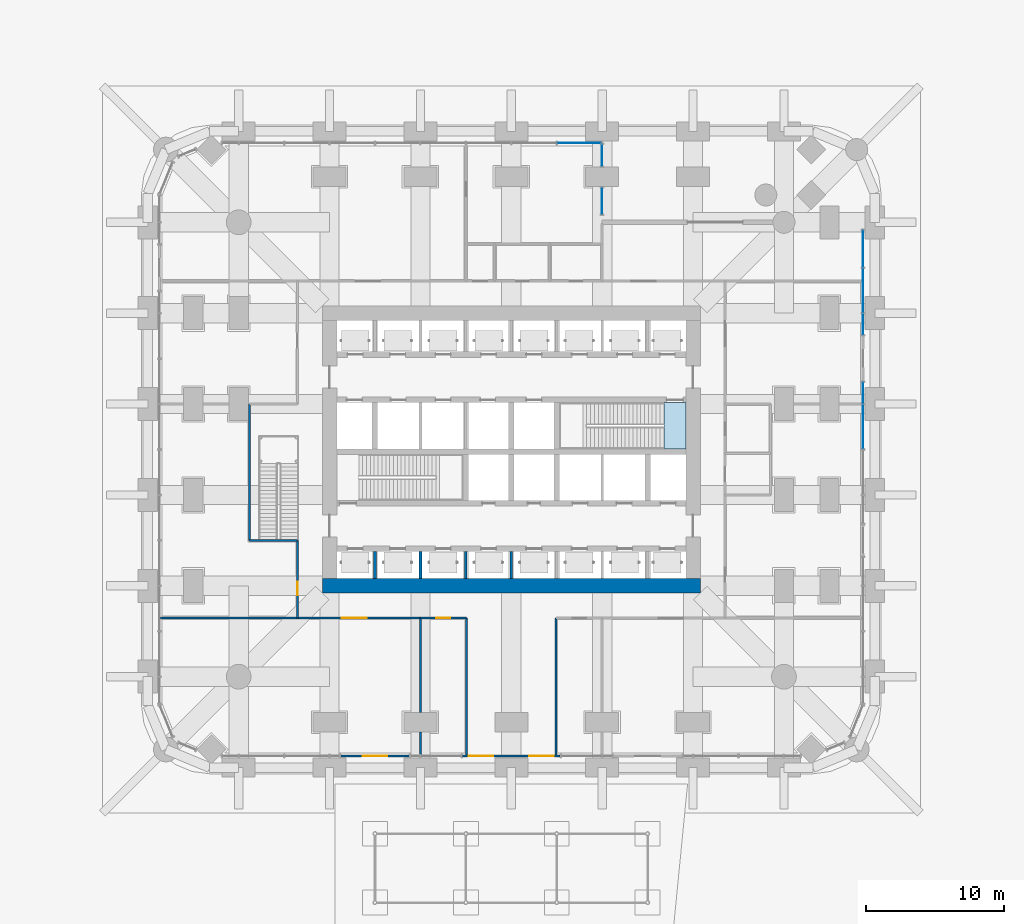
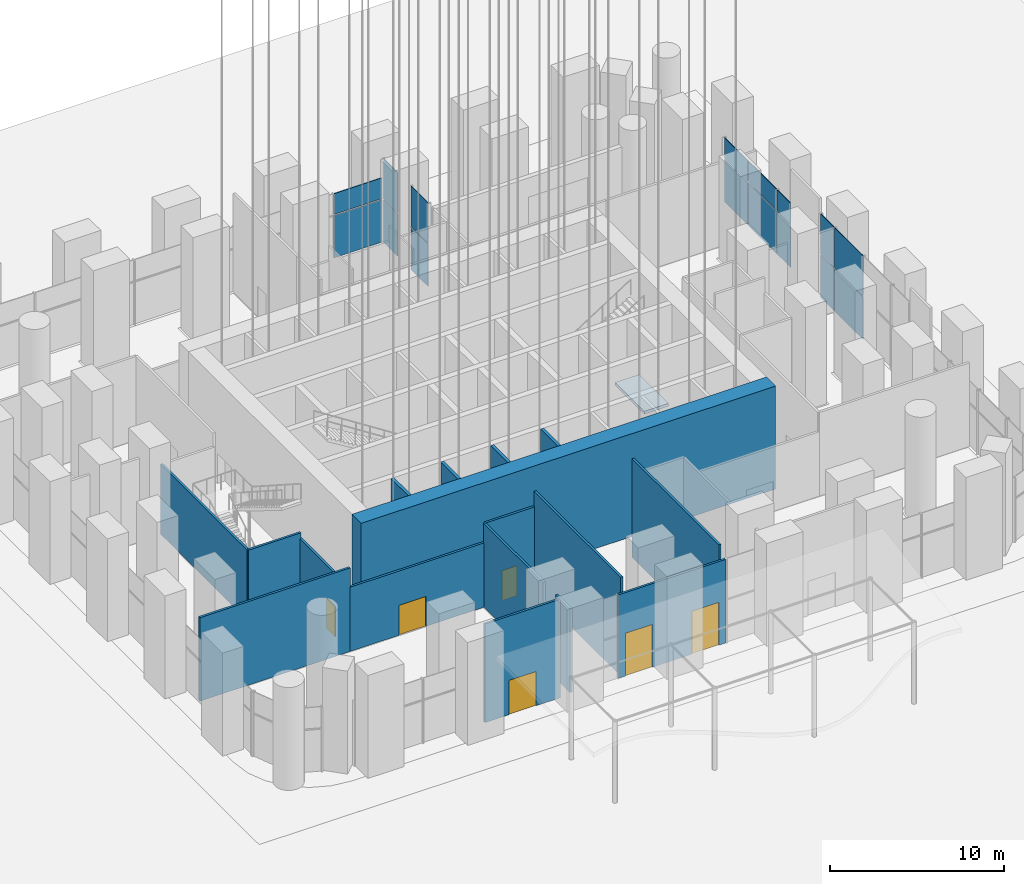
# One storey, part 14 of 32: 17 walls, 16 plates, 6 doors, 1 slab, 6 openings, 6 elements without a shape of their own.
"""IFC4 building model written with IfcOpenShell, lengths in metres."""

from ifc_helpers import new_model, si_unit, direction, frame, frame_2d, origin, origin_2d, place, context, subcontext, project, spatial, polyline, rectangle, outline, extrude, material, layer, layer_set, type_object, element, fill, aggregate, save


model = new_model("IFC4")

# Units and contexts
model_context = context("Model", 3, precision=1e-05, world=origin(), true_north=direction((0.0, 1.0)))
body_context = subcontext(model_context, "Body", "Model", "MODEL_VIEW")
ifc_project = project(units=[si_unit("LENGTHUNIT", "METRE"), si_unit("AREAUNIT", "SQUARE_METRE"), si_unit("VOLUMEUNIT", "CUBIC_METRE"), si_unit("PLANEANGLEUNIT", "RADIAN"), si_unit("MASSUNIT", "GRAM", prefix="KILO")], contexts=[model_context])

# Site, building, storey
site_placement = place(None, origin())
site = spatial("IfcSite", under=ifc_project, at=site_placement, CompositionType="ELEMENT")
building_placement = place(site_placement, origin())
building = spatial("IfcBuilding", under=site, at=building_placement, Name="Cobogo Forest Laboratory Tower", CompositionType="ELEMENT")
storey_placement = place(building_placement, origin())
storey = spatial("IfcBuildingStorey", under=building, at=storey_placement, Name="L00", CompositionType="ELEMENT", Elevation=0.0)

# Curtain wall, plates
ifc_material_1 = material(Name="Aluminium curtain wall", Category="aluminium")
curtain_wall_type = type_object("IfcCurtainWallType", Name="CW-L structural glazing, entrance lobby", PredefinedType="USERDEFINED", material=ifc_material_1)
curtain_wall_1_placement = place(storey_placement, origin())
curtain_wall_1 = element("IfcCurtainWall", 1, at=curtain_wall_1_placement, inside=storey, type_object=curtain_wall_type, Name="Curtain wall 07 L00", ObjectType="STRUCTURAL GLAZING", PredefinedType="USERDEFINED")
ifc_material_2 = material(Name="Laminated insulated glass", Category="glass")
ifc_layer_1 = layer(ifc_material_2, 0.0439453125)
ifc_layer_set_1 = layer_set([ifc_layer_1], Name="GP-3 laminated glass unit 44")
plate_type = type_object("IfcPlateType", Name="GP-3 laminated glass unit 44", PredefinedType="CURTAIN_PANEL", material=ifc_layer_set_1)
plate_1_placement = place(storey_placement, frame((31.330078125, 45.35009765625, 0.0), z_axis=(0.0, 0.0, 1.0), x_axis=(1.0, 0.0, 0.0)))
plate_1 = element("IfcPlate", 2, at=plate_1_placement, type_object=plate_type, Name="CW-L panel 9.1", PredefinedType="CURTAIN_PANEL", context=body_context, shape_type="SweptSolid", body=[
    extrude(rectangle(XDim=3.179931640625, YDim=0.0439453125, at=origin_2d()), origin(), (0.0, 0.0, 1.0), 2.9599609375),
])
plate_2_placement = place(storey_placement, frame((31.330078125, 45.35009765625, 3.0400390625), z_axis=(0.0, 0.0, 1.0), x_axis=(1.0, 0.0, 0.0)))
plate_2 = element("IfcPlate", 3, at=plate_2_placement, type_object=plate_type, Name="CW-L panel 9.2", PredefinedType="CURTAIN_PANEL", context=body_context, shape_type="SweptSolid", body=[
    extrude(rectangle(XDim=3.179931640625, YDim=0.0439453125, at=origin_2d()), origin(), (0.0, 0.0, 1.0), 1.4599609375),
])
aggregate(curtain_wall_1, [plate_1, plate_2])

curtain_wall_2_placement = place(storey_placement, origin())
curtain_wall_2 = element("IfcCurtainWall", 4, at=curtain_wall_2_placement, inside=storey, type_object=curtain_wall_type, Name="Curtain wall 08 L00", ObjectType="STRUCTURAL GLAZING", PredefinedType="USERDEFINED")
plate_3_placement = place(storey_placement, frame((33.0, 44.47509765625, 0.0), z_axis=(0.0, 0.0, 1.0), x_axis=(0.0, -1.0, 0.0)))
plate_3 = element("IfcPlate", 5, at=plate_3_placement, type_object=plate_type, Name="CW-L panel 1.1", PredefinedType="CURTAIN_PANEL", context=body_context, shape_type="SweptSolid", body=[
    extrude(rectangle(XDim=1.590087890625, YDim=0.0439453125, at=origin_2d()), origin(), (0.0, 0.0, 1.0), 2.9599609375),
])
plate_4_placement = place(storey_placement, frame((33.0, 44.47509765625, 3.0400390625), z_axis=(0.0, 0.0, 1.0), x_axis=(0.0, -1.0, 0.0)))
plate_4 = element("IfcPlate", 6, at=plate_4_placement, type_object=plate_type, Name="CW-L panel 1.2", PredefinedType="CURTAIN_PANEL", context=body_context, shape_type="SweptSolid", body=[
    extrude(rectangle(XDim=1.590087890625, YDim=0.0439453125, at=origin_2d()), origin(), (0.0, 0.0, 1.0), 2.81005859375),
])
aggregate(curtain_wall_2, [plate_3, plate_4])

curtain_wall_3_placement = place(storey_placement, origin())
curtain_wall_3 = element("IfcCurtainWall", 7, at=curtain_wall_3_placement, inside=storey, type_object=curtain_wall_type, Name="Curtain wall 09 L00", ObjectType="STRUCTURAL GLAZING", PredefinedType="USERDEFINED")
plate_5_placement = place(storey_placement, frame((33.0, 41.14990234375, 0.0), z_axis=(0.0, 0.0, 1.0), x_axis=(0.0, -1.0, 0.0)))
plate_5 = element("IfcPlate", 8, at=plate_5_placement, type_object=plate_type, Name="CW-L panel 1.1", PredefinedType="CURTAIN_PANEL", context=body_context, shape_type="SweptSolid", body=[
    extrude(rectangle(XDim=1.93994140625, YDim=0.0439453125, at=origin_2d()), origin(), (0.0, 0.0, 1.0), 2.9599609375),
])
plate_6_placement = place(storey_placement, frame((33.0, 41.14990234375, 3.0400390625), z_axis=(0.0, 0.0, 1.0), x_axis=(0.0, -1.0, 0.0)))
plate_6 = element("IfcPlate", 9, at=plate_6_placement, type_object=plate_type, Name="CW-L panel 1.2", PredefinedType="CURTAIN_PANEL", context=body_context, shape_type="SweptSolid", body=[
    extrude(rectangle(XDim=1.93994140625, YDim=0.0439453125, at=origin_2d()), origin(), (0.0, 0.0, 1.0), 2.81005859375),
])
aggregate(curtain_wall_3, [plate_5, plate_6])

curtain_wall_4_placement = place(storey_placement, origin())
curtain_wall_4 = element("IfcCurtainWall", 10, at=curtain_wall_4_placement, inside=storey, type_object=curtain_wall_type, Name="Curtain wall 10 L00", ObjectType="STRUCTURAL GLAZING", PredefinedType="USERDEFINED")
plate_7_placement = place(storey_placement, frame((51.949951171875, 37.679931640625, 0.0), z_axis=(0.0, 0.0, 1.0), x_axis=(0.0, -1.0, 0.0)))
plate_7 = element("IfcPlate", 11, at=plate_7_placement, type_object=plate_type, Name="CW-L panel 1.1", PredefinedType="CURTAIN_PANEL", context=body_context, shape_type="SweptSolid", body=[
    extrude(rectangle(XDim=2.679931640625, YDim=0.0439453125, at=origin_2d()), origin(), (0.0, 0.0, 1.0), 2.9599609375),
])
plate_8_placement = place(storey_placement, frame((51.949951171875, 37.679931640625, 3.0400390625), z_axis=(0.0, 0.0, 1.0), x_axis=(0.0, -1.0, 0.0)))
plate_8 = element("IfcPlate", 12, at=plate_8_placement, type_object=plate_type, Name="CW-L panel 1.2", PredefinedType="CURTAIN_PANEL", context=body_context, shape_type="SweptSolid", body=[
    extrude(rectangle(XDim=2.679931640625, YDim=0.0439453125, at=origin_2d()), origin(), (0.0, 0.0, 1.0), 1.4599609375),
])
plate_9_placement = place(storey_placement, frame((51.949951171875, 34.64990234375, 0.0), z_axis=(0.0, 0.0, 1.0), x_axis=(0.0, -1.0, 0.0)))
plate_9 = element("IfcPlate", 13, at=plate_9_placement, type_object=plate_type, Name="CW-L panel 2.1", PredefinedType="CURTAIN_PANEL", context=body_context, shape_type="SweptSolid", body=[
    extrude(rectangle(XDim=3.219970703125, YDim=0.0439453125, at=origin_2d()), origin(), (0.0, 0.0, 1.0), 2.9599609375),
])
plate_10_placement = place(storey_placement, frame((51.949951171875, 34.64990234375, 3.0400390625), z_axis=(0.0, 0.0, 1.0), x_axis=(0.0, -1.0, 0.0)))
plate_10 = element("IfcPlate", 14, at=plate_10_placement, type_object=plate_type, Name="CW-L panel 2.2", PredefinedType="CURTAIN_PANEL", context=body_context, shape_type="SweptSolid", body=[
    extrude(rectangle(XDim=3.219970703125, YDim=0.0439453125, at=origin_2d()), origin(), (0.0, 0.0, 1.0), 1.4599609375),
])
plate_11_placement = place(storey_placement, frame((51.949951171875, 32.195068359375, 0.0), z_axis=(0.0, 0.0, 1.0), x_axis=(0.0, -1.0, 0.0)))
plate_11 = element("IfcPlate", 15, at=plate_11_placement, type_object=plate_type, Name="CW-L panel 3.1", PredefinedType="CURTAIN_PANEL", context=body_context, shape_type="SweptSolid", body=[
    extrude(rectangle(XDim=1.530029296875, YDim=0.0439453125, at=origin_2d()), origin(), (0.0, 0.0, 1.0), 2.9599609375),
])
plate_12_placement = place(storey_placement, frame((51.949951171875, 32.195068359375, 3.0400390625), z_axis=(0.0, 0.0, 1.0), x_axis=(0.0, -1.0, 0.0)))
plate_12 = element("IfcPlate", 16, at=plate_12_placement, type_object=plate_type, Name="CW-L panel 3.2", PredefinedType="CURTAIN_PANEL", context=body_context, shape_type="SweptSolid", body=[
    extrude(rectangle(XDim=1.530029296875, YDim=0.0439453125, at=origin_2d()), origin(), (0.0, 0.0, 1.0), 1.4599609375),
])
aggregate(curtain_wall_4, [plate_7, plate_8, plate_9, plate_10, plate_11, plate_12])

curtain_wall_5_placement = place(storey_placement, origin())
curtain_wall_5 = element("IfcCurtainWall", 17, at=curtain_wall_5_placement, inside=storey, type_object=curtain_wall_type, Name="Curtain wall 11 L00", ObjectType="STRUCTURAL GLAZING", PredefinedType="USERDEFINED")
plate_13_placement = place(storey_placement, frame((51.949951171875, 27.205078125, 0.0), z_axis=(0.0, 0.0, 1.0), x_axis=(0.0, -1.0, 0.0)))
plate_13 = element("IfcPlate", 18, at=plate_13_placement, type_object=plate_type, Name="CW-L panel 1.1", PredefinedType="CURTAIN_PANEL", context=body_context, shape_type="SweptSolid", body=[
    extrude(rectangle(XDim=1.530029296875, YDim=0.0439453125, at=origin_2d()), origin(), (0.0, 0.0, 1.0), 2.9599609375),
])
plate_14_placement = place(storey_placement, frame((51.949951171875, 27.205078125, 3.0400390625), z_axis=(0.0, 0.0, 1.0), x_axis=(0.0, -1.0, 0.0)))
plate_14 = element("IfcPlate", 19, at=plate_14_placement, type_object=plate_type, Name="CW-L panel 1.2", PredefinedType="CURTAIN_PANEL", context=body_context, shape_type="SweptSolid", body=[
    extrude(rectangle(XDim=1.530029296875, YDim=0.0439453125, at=origin_2d()), origin(), (0.0, 0.0, 1.0), 2.81005859375),
])
plate_15_placement = place(storey_placement, frame((51.949951171875, 24.75, 0.0), z_axis=(0.0, 0.0, 1.0), x_axis=(0.0, -1.0, 0.0)))
plate_15 = element("IfcPlate", 20, at=plate_15_placement, type_object=plate_type, Name="CW-L panel 2.1", PredefinedType="CURTAIN_PANEL", context=body_context, shape_type="SweptSolid", body=[
    extrude(rectangle(XDim=3.219970703125, YDim=0.0439453125, at=origin_2d()), origin(), (0.0, 0.0, 1.0), 2.9599609375),
])
plate_16_placement = place(storey_placement, frame((51.949951171875, 24.75, 3.0400390625), z_axis=(0.0, 0.0, 1.0), x_axis=(0.0, -1.0, 0.0)))
plate_16 = element("IfcPlate", 21, at=plate_16_placement, type_object=plate_type, Name="CW-L panel 2.2", PredefinedType="CURTAIN_PANEL", context=body_context, shape_type="SweptSolid", body=[
    extrude(rectangle(XDim=3.219970703125, YDim=0.0439453125, at=origin_2d()), origin(), (0.0, 0.0, 1.0), 2.81005859375),
])
aggregate(curtain_wall_5, [plate_13, plate_14, plate_15, plate_16])

# Stair, slab
ifc_material_3 = material(Name="Precast concrete HA-40 (C40/50)", Category="concrete")
stair_type = type_object("IfcStairType", Name="ST42 exit stair 42 risers", PredefinedType="HALF_TURN_STAIR", material=ifc_material_3)
stair_placement = place(storey_placement, origin())
stair = element("IfcStair", 22, at=stair_placement, inside=storey, type_object=stair_type, Name="Stair 2 L00 to L01", PredefinedType="HALF_TURN_STAIR")
ifc_material_4 = material(Name="Concrete HA-40 (C40/50)", Category="concrete")
ifc_layer_2 = layer(ifc_material_4, 0.199951171875)
ifc_layer_set_2 = layer_set([ifc_layer_2], Name="SL stair landing 200")
slab_type = type_object("IfcSlabType", Name="SL stair landing 200", PredefinedType="LANDING", material=ifc_layer_set_2)
slab_placement = place(storey_placement, frame((0.0, 0.0, -0.199951171875)))
slab = element("IfcSlab", 23, at=slab_placement, type_object=slab_type, Name="ST2 landing 1", PredefinedType="LANDING", context=body_context, shape_type="SweptSolid", body=[
    extrude(outline(polyline([(37.472900390625, 23.14990234375), (39.074951171875, 23.14990234375), (39.074951171875, 26.5), (37.472900390625, 26.5), (37.472900390625, 23.14990234375)])), origin(), (0.0, 0.0, 1.0), 0.199951171875),
])
aggregate(stair, [slab])

# Wall
ifc_material_5 = material(Name="Concrete HA-50 (C50/60)", Category="concrete")
ifc_layer_3 = layer(ifc_material_5, 1.050048828125)
ifc_layer_set_3 = layer_set([ifc_layer_3], Name="CW1050 core outer wall 1050")
wall_type_1 = type_object("IfcWallType", Name="CW1050 core outer wall 1050", PredefinedType="SHEAR", material=ifc_layer_set_3)
wall_1_placement = place(storey_placement, frame((12.675048828125, 13.199951171875, 0.0), z_axis=(0.0, 0.0, 1.0), x_axis=(1.0, 0.0, 0.0)))
element("IfcWall", 24, at=wall_1_placement, inside=storey, type_object=wall_type_1, Name="Core wall CO-S L00", PredefinedType="SHEAR", context=body_context, shape_type="SweptSolid", body=[
    extrude(rectangle(XDim=27.449951171875, YDim=1.050048828125, at=frame_2d((13.72509765625, 0.0))), origin(), (0.0, 0.0, 1.0), 7.199951171875),
])

# Wall, openings, doors
ifc_material_6 = material(Name="Aluminium framed glazed screen", Category="aluminium")
ifc_layer_4 = layer(ifc_material_6, 0.14990234375)
ifc_layer_set_4 = layer_set([ifc_layer_4], Name="GS1 glazed door screen 150")
wall_type_2 = type_object("IfcWallType", Name="GS1 glazed door screen 150", PredefinedType="SOLIDWALL", material=ifc_layer_set_4)
wall_2_placement = place(storey_placement, frame((22.85009765625, 0.85009765625, 0.0), z_axis=(0.0, 0.0, 1.0), x_axis=(1.0, 0.0, 0.0)))
wall_2 = element("IfcWall", 25, at=wall_2_placement, inside=storey, type_object=wall_type_2, Name="Entrance glazed screen ENT", PredefinedType="SOLIDWALL", context=body_context, shape_type="SweptSolid", body=[
    extrude(rectangle(XDim=7.099853515625, YDim=0.14990234375, at=frame_2d((3.5498046875, 0.0))), origin(), (0.0, 0.0, 1.0), 5.85009765625),
])
opening_1_placement = place(wall_2_placement, frame((0.449951171875, 0.0, 0.0)))
opening_1 = element("IfcOpeningElement", 26, at=opening_1_placement, cuts=wall_2, Name="Opening L00-D02", PredefinedType="OPENING", context=body_context, shape_type="SweptSolid", body=[
    extrude(rectangle(XDim=1.800048828125, YDim=3.0, at=frame_2d((0.89990234375, 1.5))), frame((0.0, 0.0849609375, 0.0), z_axis=(0.0, -1.0, 0.0), x_axis=(1.0, 0.0, 0.0)), (0.0, 0.0, 1.0), 0.169921875),
])
opening_2_placement = place(wall_2_placement, frame((4.85009765625, 0.0, 0.0)))
opening_2 = element("IfcOpeningElement", 27, at=opening_2_placement, cuts=wall_2, Name="Opening L00-D03", PredefinedType="OPENING", context=body_context, shape_type="SweptSolid", body=[
    extrude(rectangle(XDim=1.800048828125, YDim=3.0, at=frame_2d((0.89990234375, 1.5))), frame((0.0, 0.0849609375, 0.0), z_axis=(0.0, -1.0, 0.0), x_axis=(1.0, 0.0, 0.0)), (0.0, 0.0, 1.0), 0.169921875),
])
ifc_material_7 = material(Name="Aluminium glazed door", Category="aluminium")
door_type_1 = type_object("IfcDoorType", Name="ED1 entrance door pair 1800 glazed", OperationType="DOUBLE_DOOR_DOUBLE_SWING", PredefinedType="DOOR", material=ifc_material_7)
door_1_placement = place(opening_1_placement, origin())
door_1 = element("IfcDoor", 28, at=door_1_placement, inside=storey, type_object=door_type_1, Name="Door L00-ENT-1", OperationType="DOUBLE_DOOR_DOUBLE_SWING", OverallHeight=3.0, OverallWidth=1.800048828125, PredefinedType="DOOR", context=body_context, shape_type="SweptSolid", body=[
    extrude(rectangle(XDim=1.800048828125, YDim=3.0, at=frame_2d((0.89990234375, 1.5))), frame((0.0, 0.02490234375, 0.0), z_axis=(0.0, -1.0, 0.0), x_axis=(1.0, 0.0, 0.0)), (0.0, 0.0, 1.0), 0.050048828125),
])
fill(opening_1, door_1)
door_2_placement = place(opening_2_placement, origin())
door_2 = element("IfcDoor", 29, at=door_2_placement, inside=storey, type_object=door_type_1, Name="Door L00-ENT-2", OperationType="DOUBLE_DOOR_DOUBLE_SWING", OverallHeight=3.0, OverallWidth=1.800048828125, PredefinedType="DOOR", context=body_context, shape_type="SweptSolid", body=[
    extrude(rectangle(XDim=1.800048828125, YDim=3.0, at=frame_2d((0.89990234375, 1.5))), frame((0.0, 0.02490234375, 0.0), z_axis=(0.0, -1.0, 0.0), x_axis=(1.0, 0.0, 0.0)), (0.0, 0.0, 1.0), 0.050048828125),
])
fill(opening_2, door_2)

# Wall, opening, door
wall_3_placement = place(storey_placement, frame((19.0, 0.85009765625, 0.0), z_axis=(0.0, 0.0, 1.0), x_axis=(-1.0, 0.0, 0.0)))
wall_3 = element("IfcWall", 30, at=wall_3_placement, inside=storey, type_object=wall_type_2, Name="Entrance glazed screen EXSW", PredefinedType="SOLIDWALL", context=body_context, shape_type="SweptSolid", body=[
    extrude(rectangle(XDim=5.0, YDim=0.14990234375, at=frame_2d((2.5, 0.0))), origin(), (0.0, 0.0, 1.0), 6.89990234375),
])
opening_3_placement = place(wall_3_placement, frame((1.60009765625, 0.0, 0.0)))
opening_3 = element("IfcOpeningElement", 31, at=opening_3_placement, cuts=wall_3, Name="Opening L00-D01", PredefinedType="OPENING", context=body_context, shape_type="SweptSolid", body=[
    extrude(rectangle(XDim=1.800048828125, YDim=2.39990234375, at=frame_2d((0.89990234375, 1.199951171875))), frame((0.0, 0.0849609375, 0.0), z_axis=(0.0, -1.0, 0.0), x_axis=(1.0, 0.0, 0.0)), (0.0, 0.0, 1.0), 0.169921875),
])
door_type_2 = type_object("IfcDoorType", Name="ED3 exit door pair 1800 glazed", OperationType="DOUBLE_DOOR_SINGLE_SWING", PredefinedType="DOOR", material=ifc_material_7)
door_3_placement = place(opening_3_placement, origin())
door_3 = element("IfcDoor", 32, at=door_3_placement, inside=storey, type_object=door_type_2, Name="Door L00-EXSW-1", OperationType="DOUBLE_DOOR_SINGLE_SWING", OverallHeight=2.39990234375, OverallWidth=1.800048828125, PredefinedType="DOOR", context=body_context, shape_type="SweptSolid", body=[
    extrude(rectangle(XDim=1.800048828125, YDim=2.39990234375, at=frame_2d((0.89990234375, 1.199951171875))), frame((0.0, 0.02490234375, 0.0), z_axis=(0.0, -1.0, 0.0), x_axis=(1.0, 0.0, 0.0)), (0.0, 0.0, 1.0), 0.050048828125),
])
fill(opening_3, door_3)

# Walls
ifc_material_8 = material(Name="Gypsum board on steel studs", Category="steel")
ifc_layer_5 = layer(ifc_material_8, 0.14990234375)
ifc_layer_set_5 = layer_set([ifc_layer_5], Name="PT1 laboratory partition 150")
wall_type_3 = type_object("IfcWallType", Name="PT1 laboratory partition 150", PredefinedType="PARTITIONING", material=ifc_layer_set_5)
wall_4_placement = place(storey_placement, frame((0.929931640625, 10.875, 0.0), z_axis=(0.0, 0.0, 1.0), x_axis=(1.0, 0.0, 0.0)))
element("IfcWall", 33, at=wall_4_placement, inside=storey, type_object=wall_type_3, Name="Partition L00-P1-1 L00", PredefinedType="PARTITIONING", context=body_context, shape_type="SweptSolid", body=[
    extrude(rectangle(XDim=9.945068359375, YDim=0.14990234375, at=frame_2d((4.97265625, 0.0))), origin(), (0.0, 0.0, 1.0), 5.85009765625),
])
wall_5_placement = place(storey_placement, frame((7.39990234375, 26.39990234375, 0.0), z_axis=(0.0, 0.0, 1.0), x_axis=(0.0, -1.0, 0.0)))
element("IfcWall", 34, at=wall_5_placement, inside=storey, type_object=wall_type_3, Name="Partition L00-P6-1 L00", PredefinedType="PARTITIONING", context=body_context, shape_type="SweptSolid", body=[
    extrude(rectangle(XDim=9.89990234375, YDim=0.14990234375, at=frame_2d((4.949951171875, 0.0))), origin(), (0.0, 0.0, 1.0), 4.89990234375),
])
wall_6_placement = place(storey_placement, frame((7.39990234375, 16.5, 0.0), z_axis=(0.0, 0.0, 1.0), x_axis=(1.0, 0.0, 0.0)))
element("IfcWall", 35, at=wall_6_placement, inside=storey, type_object=wall_type_3, Name="Partition L00-P7-1 L00", PredefinedType="PARTITIONING", context=body_context, shape_type="SweptSolid", body=[
    extrude(rectangle(XDim=3.47509765625, YDim=0.14990234375, at=frame_2d((1.737548828125, 0.0))), origin(), (0.0, 0.0, 1.0), 4.89990234375),
])

# Wall, opening, door
wall_7_placement = place(storey_placement, frame((10.875, 16.5, 0.0), z_axis=(0.0, 0.0, 1.0), x_axis=(0.0, -1.0, 0.0)))
wall_7 = element("IfcWall", 36, at=wall_7_placement, inside=storey, type_object=wall_type_3, Name="Partition L00-P8-1 L00", PredefinedType="PARTITIONING", context=body_context, shape_type="SweptSolid", body=[
    extrude(rectangle(XDim=5.625, YDim=0.14990234375, at=frame_2d((2.8125, 0.0))), origin(), (0.0, 0.0, 1.0), 4.5),
])
opening_4_placement = place(wall_7_placement, frame((3.0, 0.0, 0.0)))
opening_4 = element("IfcOpeningElement", 37, at=opening_4_placement, cuts=wall_7, Name="Opening L00-D09", PredefinedType="OPENING", context=body_context, shape_type="SweptSolid", body=[
    extrude(rectangle(XDim=1.0, YDim=2.10009765625, at=frame_2d((0.5, 1.050048828125))), frame((0.0, 0.0849609375, 0.0), z_axis=(0.0, -1.0, 0.0), x_axis=(1.0, 0.0, 0.0)), (0.0, 0.0, 1.0), 0.169921875),
])
ifc_material_9 = material(Name="Timber fire door", Category="wood")
door_type_3 = type_object("IfcDoorType", Name="FD2 fire door 1000 EI2 30", OperationType="SINGLE_SWING_LEFT", PredefinedType="DOOR", material=ifc_material_9)
door_4_placement = place(opening_4_placement, origin())
door_4 = element("IfcDoor", 38, at=door_4_placement, inside=storey, type_object=door_type_3, Name="Door L00-RDG", OperationType="SINGLE_SWING_RIGHT", OverallHeight=2.10009765625, OverallWidth=1.0, PredefinedType="DOOR", context=body_context, shape_type="SweptSolid", body=[
    extrude(rectangle(XDim=1.0, YDim=2.10009765625, at=frame_2d((0.5, 1.050048828125))), frame((0.0, 0.02490234375, 0.0), z_axis=(0.0, -1.0, 0.0), x_axis=(1.0, 0.0, 0.0)), (0.0, 0.0, 1.0), 0.050048828125),
])
fill(opening_4, door_4)

wall_8_placement = place(storey_placement, frame((10.875, 10.875, 0.0), z_axis=(0.0, 0.0, 1.0), x_axis=(1.0, 0.0, 0.0)))
wall_8 = element("IfcWall", 39, at=wall_8_placement, inside=storey, type_object=wall_type_3, Name="Partition L00-P9-1 L00", PredefinedType="PARTITIONING", context=body_context, shape_type="SweptSolid", body=[
    extrude(rectangle(XDim=8.925048828125, YDim=0.14990234375, at=frame_2d((4.46240234375, 0.0))), origin(), (0.0, 0.0, 1.0), 4.5),
])
opening_5_placement = place(wall_8_placement, frame((3.22509765625, 0.0, 0.0)))
opening_5 = element("IfcOpeningElement", 40, at=opening_5_placement, cuts=wall_8, Name="Opening L00-D05", PredefinedType="OPENING", context=body_context, shape_type="SweptSolid", body=[
    extrude(rectangle(XDim=1.800048828125, YDim=2.10009765625, at=frame_2d((0.89990234375, 1.050048828125))), frame((0.0, 0.0849609375, 0.0), z_axis=(0.0, -1.0, 0.0), x_axis=(1.0, 0.0, 0.0)), (0.0, 0.0, 1.0), 0.169921875),
])
door_type_4 = type_object("IfcDoorType", Name="FD5 assembly room fire door pair 1800 EI2 30", OperationType="DOUBLE_DOOR_DOUBLE_SWING", PredefinedType="DOOR", material=ifc_material_9)
door_5_placement = place(opening_5_placement, origin())
door_5 = element("IfcDoor", 41, at=door_5_placement, inside=storey, type_object=door_type_4, Name="Door L00-GAL", OperationType="DOUBLE_DOOR_DOUBLE_SWING", OverallHeight=2.10009765625, OverallWidth=1.800048828125, PredefinedType="DOOR", context=body_context, shape_type="SweptSolid", body=[
    extrude(rectangle(XDim=1.800048828125, YDim=2.10009765625, at=frame_2d((0.89990234375, 1.050048828125))), frame((0.0, 0.02490234375, 0.0), z_axis=(0.0, -1.0, 0.0), x_axis=(1.0, 0.0, 0.0)), (0.0, 0.0, 1.0), 0.050048828125),
])
fill(opening_5, door_5)

# Walls
wall_9_placement = place(storey_placement, frame((19.800048828125, 10.875, 0.0), z_axis=(0.0, 0.0, 1.0), x_axis=(0.0, -1.0, 0.0)))
element("IfcWall", 42, at=wall_9_placement, inside=storey, type_object=wall_type_3, Name="Partition L00-P12-1 L00", PredefinedType="PARTITIONING", context=body_context, shape_type="SweptSolid", body=[
    extrude(rectangle(XDim=6.875, YDim=0.14990234375, at=frame_2d((3.4375, 0.0))), origin(), (0.0, 0.0, 1.0), 5.85009765625),
])
wall_10_placement = place(storey_placement, frame((19.800048828125, 2.60009765625, 0.0), z_axis=(0.0, 0.0, 1.0), x_axis=(0.0, -1.0, 0.0)))
element("IfcWall", 43, at=wall_10_placement, inside=storey, type_object=wall_type_3, Name="Partition L00-P12-2 L00", PredefinedType="PARTITIONING", context=body_context, shape_type="SweptSolid", body=[
    extrude(rectangle(XDim=1.670166015625, YDim=0.14990234375, at=frame_2d((0.8349609375, 0.0))), origin(), (0.0, 0.0, 1.0), 5.85009765625),
])

# Wall, opening, door
wall_11_placement = place(storey_placement, frame((19.800048828125, 10.875, 0.0), z_axis=(0.0, 0.0, 1.0), x_axis=(1.0, 0.0, 0.0)))
wall_11 = element("IfcWall", 44, at=wall_11_placement, inside=storey, type_object=wall_type_3, Name="Partition L00-P13-1 L00", PredefinedType="PARTITIONING", context=body_context, shape_type="SweptSolid", body=[
    extrude(rectangle(XDim=3.349853515625, YDim=0.14990234375, at=frame_2d((1.6748046875, 0.0))), origin(), (0.0, 0.0, 1.0), 5.85009765625),
])
opening_6_placement = place(wall_11_placement, frame((1.14990234375, 0.0, 0.0)))
opening_6 = element("IfcOpeningElement", 45, at=opening_6_placement, cuts=wall_11, Name="Opening L00-D06", PredefinedType="OPENING", context=body_context, shape_type="SweptSolid", body=[
    extrude(rectangle(XDim=1.0, YDim=2.10009765625, at=frame_2d((0.5, 1.050048828125))), frame((0.0, 0.0849609375, 0.0), z_axis=(0.0, -1.0, 0.0), x_axis=(1.0, 0.0, 0.0)), (0.0, 0.0, 1.0), 0.169921875),
])
ifc_material_10 = material(Name="Steel fire door", Category="steel")
door_type_5 = type_object("IfcDoorType", Name="FD1 fire door 1000 EI2 60", OperationType="SINGLE_SWING_LEFT", PredefinedType="DOOR", material=ifc_material_10)
door_6_placement = place(opening_6_placement, origin())
door_6 = element("IfcDoor", 46, at=door_6_placement, inside=storey, type_object=door_type_5, Name="Door L00-FCC", OperationType="SINGLE_SWING_LEFT", OverallHeight=2.10009765625, OverallWidth=1.0, PredefinedType="DOOR", context=body_context, shape_type="SweptSolid", body=[
    extrude(rectangle(XDim=1.0, YDim=2.10009765625, at=frame_2d((0.5, 1.050048828125))), frame((0.0, 0.02490234375, 0.0), z_axis=(0.0, -1.0, 0.0), x_axis=(1.0, 0.0, 0.0)), (0.0, 0.0, 1.0), 0.050048828125),
])
fill(opening_6, door_6)

# Walls
for number, where, z_axis, x_axis, name in (
    (47, (23.14990234375, 10.875, 0.0), (0.0, 0.0, 1.0), (0.0, -1.0, 0.0), "Partition L00-P14-1 L00"),
    (48, (29.64990234375, 0.929931640625, 0.0), (0.0, 0.0, 1.0), (0.0, 1.0, 0.0), "Partition L00-P17-1 L00"),
):
    element("IfcWall", number, at=place(storey_placement, frame(where, z_axis=z_axis, x_axis=x_axis)), inside=storey, type_object=wall_type_3, Name=name, PredefinedType="PARTITIONING", context=body_context, shape_type="SweptSolid", body=[
        extrude(rectangle(XDim=9.945068359375, YDim=0.14990234375, at=frame_2d((4.97265625, 0.0))), origin(), (0.0, 0.0, 1.0), 6.89990234375),
    ])
ifc_material_11 = material(Name="Concrete block", Category="concrete")
ifc_layer_6 = layer(ifc_material_11, 0.199951171875)
ifc_layer_set_6 = layer_set([ifc_layer_6], Name="SW200 lift shaft separator 200")
wall_type_4 = type_object("IfcWallType", Name="SW200 lift shaft separator 200", PredefinedType="PARTITIONING", material=ifc_layer_set_6)
for number, where, z_axis, x_axis, name in (
    (49, (16.5, 13.72509765625, 0.0), (0.0, 0.0, 1.0), (0.0, 1.0, 0.0), "Core wall SEP-S1 L00"),
    (50, (19.800048828125, 13.72509765625, 0.0), (0.0, 0.0, 1.0), (0.0, 1.0, 0.0), "Core wall SEP-S2 L00"),
    (51, (23.10009765625, 13.72509765625, 0.0), (0.0, 0.0, 1.0), (0.0, 1.0, 0.0), "Core wall SEP-S3 L00"),
    (52, (26.39990234375, 13.72509765625, 0.0), (0.0, 0.0, 1.0), (0.0, 1.0, 0.0), "Core wall SEP-S4 L00"),
):
    element("IfcWall", number, at=place(storey_placement, frame(where, z_axis=z_axis, x_axis=x_axis)), inside=storey, type_object=wall_type_4, Name=name, PredefinedType="PARTITIONING", context=body_context, shape_type="SweptSolid", body=[
        extrude(rectangle(XDim=1.974853515625, YDim=0.199951171875, at=frame_2d((0.9873046875, 0.0))), origin(), (0.0, 0.0, 1.0), 7.199951171875),
    ])

save(model, "model.ifc")
